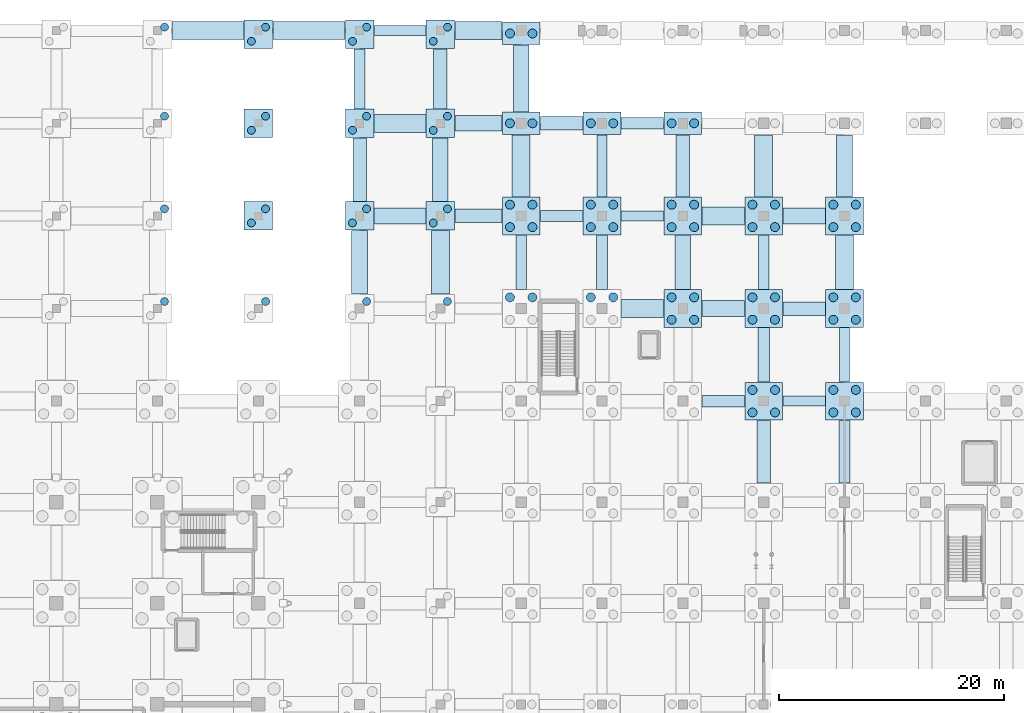
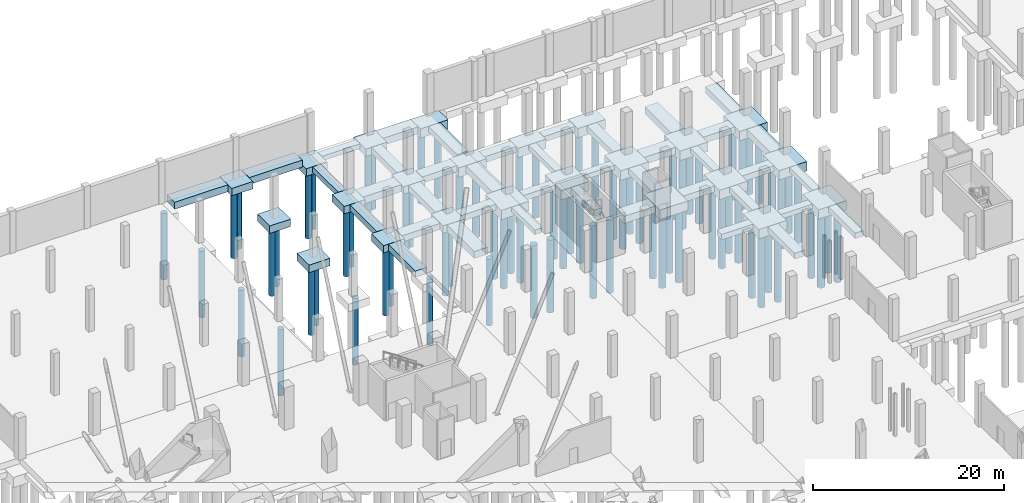
# One storey, part 8 of 42: 77 piles, 63 footings.
"""IFC4 building model written with IfcOpenShell, lengths in metres."""

from ifc_helpers import new_model, si_unit, direction, frame, origin, origin_2d, place, context, subcontext, project, spatial, rectangle, circle, extrude, material, material_profile, profile_set, type_object, element, save


model = new_model("IFC4")

# Units and contexts
model_context = context("Model", 3, precision=1e-05, world=origin(), true_north=direction((0.0, 1.0)))
body_context = subcontext(model_context, "Body", "Model", "MODEL_VIEW")
ifc_project = project(units=[si_unit("LENGTHUNIT", "METRE"), si_unit("AREAUNIT", "SQUARE_METRE"), si_unit("VOLUMEUNIT", "CUBIC_METRE"), si_unit("PLANEANGLEUNIT", "RADIAN"), si_unit("MASSUNIT", "GRAM", prefix="KILO")], contexts=[model_context])

# Site, building, storey
site_placement = place(None, origin())
site = spatial("IfcSite", under=ifc_project, at=site_placement, CompositionType="ELEMENT")
building_placement = place(site_placement, origin())
building = spatial("IfcBuilding", under=site, at=building_placement, Name="Sundgate Opera House", CompositionType="ELEMENT")
storey_placement = place(building_placement, frame((0.0, 0.0, -5.39990234375)))
storey = spatial("IfcBuildingStorey", under=building, at=storey_placement, Name="B01", CompositionType="ELEMENT", Elevation=-5.39990234375)

# Footings
ifc_material_1 = material(Name="Concrete C40/50", Category="concrete")
footing_type_1 = type_object("IfcFootingType", Name="FT-PC-2540x2540x950", PredefinedType="PILE_CAP", material=ifc_material_1)
for number, where, z_axis, x_axis, name in (
    (1, (72.0, 103.5, -0.9501953125), (0.0, 0.0, 1.0), (1.0, 0.0, 0.0), "Pile Cap F0111"),
    (2, (72.0, 111.75, -0.9501953125), (0.0, 0.0, 1.0), (1.0, 0.0, 0.0), "Pile Cap F0112"),
    (3, (72.0, 119.679931640625, -0.9501953125), (0.0, 0.0, 1.0), (1.0, 0.0, 0.0), "Pile Cap F0113"),
    (4, (81.0, 103.5, -1.60009765625), (0.0, 0.0, 1.0), (1.0, 0.0, 0.0), "Pile Cap F0126"),
    (5, (81.0, 111.75, -1.60009765625), (0.0, 0.0, 1.0), (1.0, 0.0, 0.0), "Pile Cap F0127"),
    (6, (81.0, 119.679931640625, -1.60009765625), (0.0, 0.0, 1.0), (1.0, 0.0, 0.0), "Pile Cap F0128"),
    (7, (88.199951171875, 103.5, -1.60009765625), (0.0, 0.0, 1.0), (1.0, 0.0, 0.0), "Pile Cap F0141"),
    (8, (88.199951171875, 111.75, -1.60009765625), (0.0, 0.0, 1.0), (1.0, 0.0, 0.0), "Pile Cap F0142"),
    (9, (88.199951171875, 119.679931640625, -1.60009765625), (0.0, 0.0, 1.0), (1.0, 0.0, 0.0), "Pile Cap F0143"),
):
    element("IfcFooting", number, at=place(storey_placement, frame(where, z_axis=z_axis, x_axis=x_axis)), inside=storey, type_object=footing_type_1, Name=name, PredefinedType="PILE_CAP", context=body_context, shape_type="SweptSolid", body=[
        extrude(rectangle(XDim=2.5400390625, YDim=2.5400390625, at=origin_2d()), origin(), (0.0, 0.0, 1.0), 0.949951171875),
    ])
ifc_material_2 = material(Name="Concrete C40/50", Category="concrete")
footing_type_2 = type_object("IfcFootingType", Name="FT-PC-3360x2000x1200", PredefinedType="PILE_CAP", material=ifc_material_2)
for number, where, z_axis, x_axis, name in (
    (10, (95.39990234375, 111.75, -2.0), (0.0, 0.0, 1.0), (1.0, 0.0, 0.0), "Pile Cap F0157"),
    (11, (95.39990234375, 119.75, -1.85009765625), (0.0, 0.0, 1.0), (1.0, 0.0, 0.0), "Pile Cap F0158"),
    (12, (102.60009765625, 111.75, -2.0), (0.0, 0.0, 1.0), (1.0, 0.0, 0.0), "Pile Cap F0172"),
    (13, (109.800048828125, 111.75, -2.0), (0.0, 0.0, 1.0), (1.0, 0.0, 0.0), "Pile Cap F0187"),
):
    element("IfcFooting", number, at=place(storey_placement, frame(where, z_axis=z_axis, x_axis=x_axis)), inside=storey, type_object=footing_type_2, Name=name, PredefinedType="PILE_CAP", context=body_context, shape_type="SweptSolid", body=[
        extrude(rectangle(XDim=3.360107421875, YDim=2.0, at=origin_2d()), origin(), (0.0, 0.0, 1.0), 1.199951171875),
    ])
ifc_material_3 = material(Name="Concrete C40/50", Category="concrete")
footing_type_3 = type_object("IfcFootingType", Name="FT-PC-3360x3360x1200", PredefinedType="PILE_CAP", material=ifc_material_3)
for number, where, z_axis, x_axis, name in (
    (14, (95.39990234375, 103.5, -2.0), (0.0, 0.0, 1.0), (1.0, 0.0, 0.0), "Pile Cap F0156"),
    (15, (102.60009765625, 103.5, -2.0), (0.0, 0.0, 1.0), (1.0, 0.0, 0.0), "Pile Cap F0171"),
    (16, (109.800048828125, 95.25, -2.0), (0.0, 0.0, 1.0), (1.0, 0.0, 0.0), "Pile Cap F0185"),
    (17, (109.800048828125, 103.5, -2.0), (0.0, 0.0, 1.0), (1.0, 0.0, 0.0), "Pile Cap F0186"),
    (18, (117.0, 87.0, -2.0), (0.0, 0.0, 1.0), (1.0, 0.0, 0.0), "Pile Cap F0199"),
    (19, (117.0, 95.25, -2.0), (0.0, 0.0, 1.0), (1.0, 0.0, 0.0), "Pile Cap F0200"),
    (20, (117.0, 103.5, -2.0), (0.0, 0.0, 1.0), (1.0, 0.0, 0.0), "Pile Cap F0201"),
    (21, (124.199951171875, 87.0, -2.0), (0.0, 0.0, 1.0), (1.0, 0.0, 0.0), "Pile Cap F0213"),
    (22, (124.199951171875, 95.25, -2.0), (0.0, 0.0, 1.0), (1.0, 0.0, 0.0), "Pile Cap F0214"),
    (23, (124.199951171875, 103.5, -2.0), (0.0, 0.0, 1.0), (1.0, 0.0, 0.0), "Pile Cap F0215"),
):
    element("IfcFooting", number, at=place(storey_placement, frame(where, z_axis=z_axis, x_axis=x_axis)), inside=storey, type_object=footing_type_3, Name=name, PredefinedType="PILE_CAP", context=body_context, shape_type="SweptSolid", body=[
        extrude(rectangle(XDim=3.360107421875, YDim=3.360107421875, at=origin_2d()), origin(), (0.0, 0.0, 1.0), 1.199951171875),
    ])
ifc_material_4 = material(Name="Concrete C35/45", Category="concrete")
footing_type_4 = type_object("IfcFootingType", Name="FT-STR-1000x700", PredefinedType="STRIP_FOOTING", material=ifc_material_4)
footing_1_placement = place(storey_placement, frame((81.0, 115.715087890625, -1.35009765625), z_axis=(0.0, 0.0, 1.0), x_axis=(1.0, 0.0, 0.0)))
element("IfcFooting", 24, at=footing_1_placement, inside=storey, type_object=footing_type_4, Name="Strip Footing F0407", PredefinedType="STRIP_FOOTING", context=body_context, shape_type="SweptSolid", body=[
    extrude(rectangle(XDim=1.0, YDim=5.340087890625, at=origin_2d()), origin(), (0.0, 0.0, 1.0), 0.699951171875),
])
for number, where, z_axis, x_axis, name in (
    (25, (102.60009765625, 99.375, -1.5), (0.0, 0.0, 1.0), (1.0, 0.0, 0.0), "Strip Footing F0447"),
    (26, (117.0, 91.125, -1.5), (0.0, 0.0, 1.0), (1.0, 0.0, 0.0), "Strip Footing F0472"),
):
    element("IfcFooting", number, at=place(storey_placement, frame(where, z_axis=z_axis, x_axis=x_axis)), inside=storey, type_object=footing_type_4, Name=name, PredefinedType="STRIP_FOOTING", context=body_context, shape_type="SweptSolid", body=[
        extrude(rectangle(XDim=1.0, YDim=4.840087890625, at=origin_2d()), origin(), (0.0, 0.0, 1.0), 0.699951171875),
    ])
footing_2_placement = place(storey_placement, frame((124.199951171875, 82.5, -1.5), z_axis=(0.0, 0.0, 1.0), x_axis=(1.0, 0.0, 0.0)))
element("IfcFooting", 27, at=footing_2_placement, inside=storey, type_object=footing_type_4, Name="Strip Footing F0482", PredefinedType="STRIP_FOOTING", context=body_context, shape_type="SweptSolid", body=[
    extrude(rectangle(XDim=1.0, YDim=5.590087890625, at=origin_2d()), origin(), (0.0, 0.0, 1.0), 0.699951171875),
])
for number, where, z_axis, x_axis, name in (
    (28, (113.39990234375, 87.0, -1.5), (0.0, 0.0, 1.0), (1.0, 0.0, 0.0), "Strip Footing F0722"),
    (29, (99.0, 103.5, -1.5), (0.0, 0.0, 1.0), (1.0, 0.0, 0.0), "Strip Footing F0752"),
    (30, (106.199951171875, 111.75, -1.5), (0.0, 0.0, 1.0), (1.0, 0.0, 0.0), "Strip Footing F0767"),
):
    element("IfcFooting", number, at=place(storey_placement, frame(where, z_axis=z_axis, x_axis=x_axis)), inside=storey, type_object=footing_type_4, Name=name, PredefinedType="STRIP_FOOTING", context=body_context, shape_type="SweptSolid", body=[
        extrude(rectangle(XDim=3.7900390625, YDim=1.0, at=origin_2d()), origin(), (0.0, 0.0, 1.0), 0.699951171875),
    ])
ifc_material_5 = material(Name="Concrete C35/45", Category="concrete")
footing_type_5 = type_object("IfcFootingType", Name="FT-STR-1200x750", PredefinedType="STRIP_FOOTING", material=ifc_material_5)
footing_3_placement = place(storey_placement, frame((81.0, 107.625, -1.400146484375), z_axis=(0.0, 0.0, 1.0), x_axis=(1.0, 0.0, 0.0)))
element("IfcFooting", 31, at=footing_3_placement, inside=storey, type_object=footing_type_5, Name="Strip Footing F0406", PredefinedType="STRIP_FOOTING", context=body_context, shape_type="SweptSolid", body=[
    extrude(rectangle(XDim=1.199951171875, YDim=5.659912109375, at=origin_2d()), origin(), (0.0, 0.0, 1.0), 0.75),
])
footing_4_placement = place(storey_placement, frame((88.199951171875, 115.715087890625, -1.400146484375), z_axis=(0.0, 0.0, 1.0), x_axis=(1.0, 0.0, 0.0)))
element("IfcFooting", 32, at=footing_4_placement, inside=storey, type_object=footing_type_5, Name="Strip Footing F0421", PredefinedType="STRIP_FOOTING", context=body_context, shape_type="SweptSolid", body=[
    extrude(rectangle(XDim=1.199951171875, YDim=5.340087890625, at=origin_2d()), origin(), (0.0, 0.0, 1.0), 0.75),
])
footing_5_placement = place(storey_placement, frame((109.800048828125, 107.965087890625, -1.550048828125), z_axis=(0.0, 0.0, 1.0), x_axis=(1.0, 0.0, 0.0)))
element("IfcFooting", 33, at=footing_5_placement, inside=storey, type_object=footing_type_5, Name="Strip Footing F0461", PredefinedType="STRIP_FOOTING", context=body_context, shape_type="SweptSolid", body=[
    extrude(rectangle(XDim=1.199951171875, YDim=5.52001953125, at=origin_2d()), origin(), (0.0, 0.0, 1.0), 0.75),
])
footing_6_placement = place(storey_placement, frame((117.0, 82.5, -1.550048828125), z_axis=(0.0, 0.0, 1.0), x_axis=(1.0, 0.0, 0.0)))
element("IfcFooting", 34, at=footing_6_placement, inside=storey, type_object=footing_type_5, Name="Strip Footing F0471", PredefinedType="STRIP_FOOTING", context=body_context, shape_type="SweptSolid", body=[
    extrude(rectangle(XDim=1.199951171875, YDim=5.590087890625, at=origin_2d()), origin(), (0.0, 0.0, 1.0), 0.75),
])
footing_7_placement = place(storey_placement, frame((120.60009765625, 95.25, -1.550048828125), z_axis=(0.0, 0.0, 1.0), x_axis=(1.0, 0.0, 0.0)))
element("IfcFooting", 35, at=footing_7_placement, inside=storey, type_object=footing_type_5, Name="Strip Footing F0741", PredefinedType="STRIP_FOOTING", context=body_context, shape_type="SweptSolid", body=[
    extrude(rectangle(XDim=3.7900390625, YDim=1.199951171875, at=origin_2d()), origin(), (0.0, 0.0, 1.0), 0.75),
])
footing_8_placement = place(storey_placement, frame((91.594970703125, 103.5, -1.400146484375), z_axis=(0.0, 0.0, 1.0), x_axis=(1.0, 0.0, 0.0)))
element("IfcFooting", 36, at=footing_8_placement, inside=storey, type_object=footing_type_5, Name="Strip Footing F0751", PredefinedType="STRIP_FOOTING", context=body_context, shape_type="SweptSolid", body=[
    extrude(rectangle(XDim=4.199951171875, YDim=1.199951171875, at=origin_2d()), origin(), (0.0, 0.0, 1.0), 0.75),
])
footing_9_placement = place(storey_placement, frame((99.0, 111.75, -1.550048828125), z_axis=(0.0, 0.0, 1.0), x_axis=(1.0, 0.0, 0.0)))
element("IfcFooting", 37, at=footing_9_placement, inside=storey, type_object=footing_type_5, Name="Strip Footing F0766", PredefinedType="STRIP_FOOTING", context=body_context, shape_type="SweptSolid", body=[
    extrude(rectangle(XDim=3.7900390625, YDim=1.199951171875, at=origin_2d()), origin(), (0.0, 0.0, 1.0), 0.75),
])
ifc_material_6 = material(Name="Concrete C35/45", Category="concrete")
footing_type_6 = type_object("IfcFootingType", Name="FT-STR-1400x800", PredefinedType="STRIP_FOOTING", material=ifc_material_6)
for number, where, z_axis, x_axis, name in (
    (38, (81.0, 99.375, -1.4501953125), (0.0, 0.0, 1.0), (1.0, 0.0, 0.0), "Strip Footing F0405"),
    (39, (88.199951171875, 107.625, -1.4501953125), (0.0, 0.0, 1.0), (1.0, 0.0, 0.0), "Strip Footing F0420"),
):
    element("IfcFooting", number, at=place(storey_placement, frame(where, z_axis=z_axis, x_axis=x_axis)), inside=storey, type_object=footing_type_6, Name=name, PredefinedType="STRIP_FOOTING", context=body_context, shape_type="SweptSolid", body=[
        extrude(rectangle(XDim=1.39990234375, YDim=5.659912109375, at=origin_2d()), origin(), (0.0, 0.0, 1.0), 0.800048828125),
    ])
footing_10_placement = place(storey_placement, frame((95.39990234375, 115.75, -1.4501953125), z_axis=(0.0, 0.0, 1.0), x_axis=(1.0, 0.0, 0.0)))
element("IfcFooting", 40, at=footing_10_placement, inside=storey, type_object=footing_type_6, Name="Strip Footing F0435", PredefinedType="STRIP_FOOTING", context=body_context, shape_type="SweptSolid", body=[
    extrude(rectangle(XDim=1.39990234375, YDim=5.949951171875, at=origin_2d()), origin(), (0.0, 0.0, 1.0), 0.800048828125),
])
footing_11_placement = place(storey_placement, frame((109.800048828125, 99.375, -1.60009765625), z_axis=(0.0, 0.0, 1.0), x_axis=(1.0, 0.0, 0.0)))
element("IfcFooting", 41, at=footing_11_placement, inside=storey, type_object=footing_type_6, Name="Strip Footing F0460", PredefinedType="STRIP_FOOTING", context=body_context, shape_type="SweptSolid", body=[
    extrude(rectangle(XDim=1.39990234375, YDim=4.840087890625, at=origin_2d()), origin(), (0.0, 0.0, 1.0), 0.800048828125),
])
footing_12_placement = place(storey_placement, frame((124.199951171875, 107.965087890625, -1.60009765625), z_axis=(0.0, 0.0, 1.0), x_axis=(1.0, 0.0, 0.0)))
element("IfcFooting", 42, at=footing_12_placement, inside=storey, type_object=footing_type_6, Name="Strip Footing F0485", PredefinedType="STRIP_FOOTING", context=body_context, shape_type="SweptSolid", body=[
    extrude(rectangle(XDim=1.39990234375, YDim=5.52001953125, at=origin_2d()), origin(), (0.0, 0.0, 1.0), 0.800048828125),
])
footing_13_placement = place(storey_placement, frame((113.39990234375, 95.25, -1.60009765625), z_axis=(0.0, 0.0, 1.0), x_axis=(1.0, 0.0, 0.0)))
element("IfcFooting", 43, at=footing_13_placement, inside=storey, type_object=footing_type_6, Name="Strip Footing F0740", PredefinedType="STRIP_FOOTING", context=body_context, shape_type="SweptSolid", body=[
    extrude(rectangle(XDim=3.7900390625, YDim=1.39990234375, at=origin_2d()), origin(), (0.0, 0.0, 1.0), 0.800048828125),
])
footing_14_placement = place(storey_placement, frame((84.60009765625, 103.5, -1.4501953125), z_axis=(0.0, 0.0, 1.0), x_axis=(1.0, 0.0, 0.0)))
element("IfcFooting", 44, at=footing_14_placement, inside=storey, type_object=footing_type_6, Name="Strip Footing F0750", PredefinedType="STRIP_FOOTING", context=body_context, shape_type="SweptSolid", body=[
    extrude(rectangle(XDim=4.610107421875, YDim=1.39990234375, at=origin_2d()), origin(), (0.0, 0.0, 1.0), 0.800048828125),
])
footing_15_placement = place(storey_placement, frame((120.60009765625, 103.5, -1.60009765625), z_axis=(0.0, 0.0, 1.0), x_axis=(1.0, 0.0, 0.0)))
element("IfcFooting", 45, at=footing_15_placement, inside=storey, type_object=footing_type_6, Name="Strip Footing F0755", PredefinedType="STRIP_FOOTING", context=body_context, shape_type="SweptSolid", body=[
    extrude(rectangle(XDim=3.7900390625, YDim=1.39990234375, at=origin_2d()), origin(), (0.0, 0.0, 1.0), 0.800048828125),
])
footing_16_placement = place(storey_placement, frame((91.594970703125, 111.75, -1.4501953125), z_axis=(0.0, 0.0, 1.0), x_axis=(1.0, 0.0, 0.0)))
element("IfcFooting", 46, at=footing_16_placement, inside=storey, type_object=footing_type_6, Name="Strip Footing F0765", PredefinedType="STRIP_FOOTING", context=body_context, shape_type="SweptSolid", body=[
    extrude(rectangle(XDim=4.199951171875, YDim=1.39990234375, at=origin_2d()), origin(), (0.0, 0.0, 1.0), 0.800048828125),
])
ifc_material_7 = material(Name="Concrete C35/45", Category="concrete")
footing_type_7 = type_object("IfcFootingType", Name="FT-STR-1600x900", PredefinedType="STRIP_FOOTING", material=ifc_material_7)
footing_17_placement = place(storey_placement, frame((88.199951171875, 99.375, -1.550048828125), z_axis=(0.0, 0.0, 1.0), x_axis=(1.0, 0.0, 0.0)))
element("IfcFooting", 47, at=footing_17_placement, inside=storey, type_object=footing_type_7, Name="Strip Footing F0419", PredefinedType="STRIP_FOOTING", context=body_context, shape_type="SweptSolid", body=[
    extrude(rectangle(XDim=1.60009765625, YDim=5.659912109375, at=origin_2d()), origin(), (0.0, 0.0, 1.0), 0.89990234375),
])
for number, where, z_axis, x_axis, name in (
    (48, (95.39990234375, 107.965087890625, -1.699951171875), (0.0, 0.0, 1.0), (1.0, 0.0, 0.0), "Strip Footing F0434"),
    (49, (117.0, 107.965087890625, -1.699951171875), (0.0, 0.0, 1.0), (1.0, 0.0, 0.0), "Strip Footing F0474"),
):
    element("IfcFooting", number, at=place(storey_placement, frame(where, z_axis=z_axis, x_axis=x_axis)), inside=storey, type_object=footing_type_7, Name=name, PredefinedType="STRIP_FOOTING", context=body_context, shape_type="SweptSolid", body=[
        extrude(rectangle(XDim=1.60009765625, YDim=5.52001953125, at=origin_2d()), origin(), (0.0, 0.0, 1.0), 0.89990234375),
    ])
footing_18_placement = place(storey_placement, frame((124.199951171875, 99.375, -1.699951171875), z_axis=(0.0, 0.0, 1.0), x_axis=(1.0, 0.0, 0.0)))
element("IfcFooting", 50, at=footing_18_placement, inside=storey, type_object=footing_type_7, Name="Strip Footing F0484", PredefinedType="STRIP_FOOTING", context=body_context, shape_type="SweptSolid", body=[
    extrude(rectangle(XDim=1.60009765625, YDim=4.840087890625, at=origin_2d()), origin(), (0.0, 0.0, 1.0), 0.89990234375),
])
for number, where, z_axis, x_axis, name in (
    (51, (106.199951171875, 95.25, -1.699951171875), (0.0, 0.0, 1.0), (1.0, 0.0, 0.0), "Strip Footing F0739"),
    (52, (113.39990234375, 103.5, -1.699951171875), (0.0, 0.0, 1.0), (1.0, 0.0, 0.0), "Strip Footing F0754"),
):
    element("IfcFooting", number, at=place(storey_placement, frame(where, z_axis=z_axis, x_axis=x_axis)), inside=storey, type_object=footing_type_7, Name=name, PredefinedType="STRIP_FOOTING", context=body_context, shape_type="SweptSolid", body=[
        extrude(rectangle(XDim=3.7900390625, YDim=1.60009765625, at=origin_2d()), origin(), (0.0, 0.0, 1.0), 0.89990234375),
    ])
footing_19_placement = place(storey_placement, frame((84.60009765625, 111.75, -1.550048828125), z_axis=(0.0, 0.0, 1.0), x_axis=(1.0, 0.0, 0.0)))
element("IfcFooting", 53, at=footing_19_placement, inside=storey, type_object=footing_type_7, Name="Strip Footing F0764", PredefinedType="STRIP_FOOTING", context=body_context, shape_type="SweptSolid", body=[
    extrude(rectangle(XDim=4.610107421875, YDim=1.60009765625, at=origin_2d()), origin(), (0.0, 0.0, 1.0), 0.89990234375),
])
footing_20_placement = place(storey_placement, frame((91.594970703125, 120.0, -1.550048828125), z_axis=(0.0, 0.0, 1.0), x_axis=(1.0, 0.0, 0.0)))
element("IfcFooting", 54, at=footing_20_placement, inside=storey, type_object=footing_type_7, Name="Strip Footing F0779", PredefinedType="STRIP_FOOTING", context=body_context, shape_type="SweptSolid", body=[
    extrude(rectangle(XDim=4.199951171875, YDim=1.60009765625, at=origin_2d()), origin(), (0.0, 0.0, 1.0), 0.89990234375),
])
for number, where, z_axis, x_axis, name in (
    (55, (67.5, 120.0, -0.900146484375), (0.0, 0.0, 1.0), (1.0, 0.0, 0.0), "Retaining Wall Strip Footing F0780"),
    (56, (76.5, 120.0, -0.900146484375), (0.0, 0.0, 1.0), (1.0, 0.0, 0.0), "Retaining Wall Strip Footing F0781"),
):
    element("IfcFooting", number, at=place(storey_placement, frame(where, z_axis=z_axis, x_axis=x_axis)), inside=storey, type_object=footing_type_7, Name=name, PredefinedType="STRIP_FOOTING", context=body_context, shape_type="SweptSolid", body=[
        extrude(rectangle(XDim=6.409912109375, YDim=1.60009765625, at=origin_2d()), origin(), (0.0, 0.0, 1.0), 0.89990234375),
    ])
ifc_material_8 = material(Name="Concrete C35/45", Category="concrete")
footing_type_8 = type_object("IfcFootingType", Name="FT-STR-900x600", PredefinedType="STRIP_FOOTING", material=ifc_material_8)
footing_21_placement = place(storey_placement, frame((95.39990234375, 99.375, -1.400146484375), z_axis=(0.0, 0.0, 1.0), x_axis=(1.0, 0.0, 0.0)))
element("IfcFooting", 57, at=footing_21_placement, inside=storey, type_object=footing_type_8, Name="Strip Footing F0433", PredefinedType="STRIP_FOOTING", context=body_context, shape_type="SweptSolid", body=[
    extrude(rectangle(XDim=0.89990234375, YDim=4.840087890625, at=origin_2d()), origin(), (0.0, 0.0, 1.0), 0.60009765625),
])
footing_22_placement = place(storey_placement, frame((102.60009765625, 107.965087890625, -1.400146484375), z_axis=(0.0, 0.0, 1.0), x_axis=(1.0, 0.0, 0.0)))
element("IfcFooting", 58, at=footing_22_placement, inside=storey, type_object=footing_type_8, Name="Strip Footing F0448", PredefinedType="STRIP_FOOTING", context=body_context, shape_type="SweptSolid", body=[
    extrude(rectangle(XDim=0.89990234375, YDim=5.52001953125, at=origin_2d()), origin(), (0.0, 0.0, 1.0), 0.60009765625),
])
for number, where, z_axis, x_axis, name in (
    (59, (117.0, 99.375, -1.400146484375), (0.0, 0.0, 1.0), (1.0, 0.0, 0.0), "Strip Footing F0473"),
    (60, (124.199951171875, 91.125, -1.400146484375), (0.0, 0.0, 1.0), (1.0, 0.0, 0.0), "Strip Footing F0483"),
):
    element("IfcFooting", number, at=place(storey_placement, frame(where, z_axis=z_axis, x_axis=x_axis)), inside=storey, type_object=footing_type_8, Name=name, PredefinedType="STRIP_FOOTING", context=body_context, shape_type="SweptSolid", body=[
        extrude(rectangle(XDim=0.89990234375, YDim=4.840087890625, at=origin_2d()), origin(), (0.0, 0.0, 1.0), 0.60009765625),
    ])
for number, where, z_axis, x_axis, name in (
    (61, (120.60009765625, 87.0, -1.400146484375), (0.0, 0.0, 1.0), (1.0, 0.0, 0.0), "Strip Footing F0723"),
    (62, (106.199951171875, 103.5, -1.400146484375), (0.0, 0.0, 1.0), (1.0, 0.0, 0.0), "Strip Footing F0753"),
):
    element("IfcFooting", number, at=place(storey_placement, frame(where, z_axis=z_axis, x_axis=x_axis)), inside=storey, type_object=footing_type_8, Name=name, PredefinedType="STRIP_FOOTING", context=body_context, shape_type="SweptSolid", body=[
        extrude(rectangle(XDim=3.7900390625, YDim=0.89990234375, at=origin_2d()), origin(), (0.0, 0.0, 1.0), 0.60009765625),
    ])
footing_23_placement = place(storey_placement, frame((84.60009765625, 120.0, -1.250244140625), z_axis=(0.0, 0.0, 1.0), x_axis=(1.0, 0.0, 0.0)))
element("IfcFooting", 63, at=footing_23_placement, inside=storey, type_object=footing_type_8, Name="Strip Footing F0778", PredefinedType="STRIP_FOOTING", context=body_context, shape_type="SweptSolid", body=[
    extrude(rectangle(XDim=4.610107421875, YDim=0.89990234375, at=origin_2d()), origin(), (0.0, 0.0, 1.0), 0.60009765625),
])

# Piles
ifc_material_9 = material(Name="Concrete C40/50", Category="concrete")
ifc_material_profile_1 = material_profile(ifc_material_9, circle(Radius=0.35009765625, at=origin_2d()), Name="PILE D700")
ifc_profile_set_1 = profile_set([ifc_material_profile_1], Name="Concrete C40/50")
pile_type_1 = type_object("IfcPileType", Name="PL-700", PredefinedType="BORED", material=ifc_profile_set_1)
for number, where, z_axis, x_axis, name in (
    (64, (63.6298828125, 95.8798828125, -1.650146484375), (0.0, 0.0, -1.0), (1.0, 0.0, 0.0), "Rock-Socketed Pile P0268"),
    (65, (63.6298828125, 104.1298828125, -1.650146484375), (0.0, 0.0, -1.0), (1.0, 0.0, 0.0), "Rock-Socketed Pile P0270"),
    (66, (63.6298828125, 112.3798828125, -1.650146484375), (0.0, 0.0, -1.0), (1.0, 0.0, 0.0), "Rock-Socketed Pile P0272"),
    (67, (63.6298828125, 120.31005859375, -1.650146484375), (0.0, 0.0, -1.0), (1.0, 0.0, 0.0), "Rock-Socketed Pile P0274"),
    (68, (72.6298828125, 95.8798828125, -0.85009765625), (0.0, 0.0, -1.0), (1.0, 0.0, 0.0), "Rock-Socketed Pile P0304"),
    (69, (71.3701171875, 102.8701171875, -0.85009765625), (0.0, 0.0, -1.0), (1.0, 0.0, 0.0), "Rock-Socketed Pile P0305"),
    (70, (72.6298828125, 104.1298828125, -0.85009765625), (0.0, 0.0, -1.0), (1.0, 0.0, 0.0), "Rock-Socketed Pile P0306"),
    (71, (71.3701171875, 111.1201171875, -0.85009765625), (0.0, 0.0, -1.0), (1.0, 0.0, 0.0), "Rock-Socketed Pile P0307"),
    (72, (72.6298828125, 112.3798828125, -0.85009765625), (0.0, 0.0, -1.0), (1.0, 0.0, 0.0), "Rock-Socketed Pile P0308"),
    (73, (71.3701171875, 119.050048828125, -0.85009765625), (0.0, 0.0, -1.0), (1.0, 0.0, 0.0), "Rock-Socketed Pile P0309"),
    (74, (72.6298828125, 120.31005859375, -0.85009765625), (0.0, 0.0, -1.0), (1.0, 0.0, 0.0), "Rock-Socketed Pile P0310"),
    (75, (81.6298828125, 95.8798828125, -1.5), (0.0, 0.0, -1.0), (1.0, 0.0, 0.0), "Rock-Socketed Pile P0348"),
    (76, (80.3701171875, 102.8701171875, -1.5), (0.0, 0.0, -1.0), (1.0, 0.0, 0.0), "Rock-Socketed Pile P0349"),
    (77, (81.6298828125, 104.1298828125, -1.5), (0.0, 0.0, -1.0), (1.0, 0.0, 0.0), "Rock-Socketed Pile P0350"),
    (78, (80.3701171875, 111.1201171875, -1.5), (0.0, 0.0, -1.0), (1.0, 0.0, 0.0), "Rock-Socketed Pile P0351"),
    (79, (81.6298828125, 112.3798828125, -1.5), (0.0, 0.0, -1.0), (1.0, 0.0, 0.0), "Rock-Socketed Pile P0352"),
    (80, (80.3701171875, 119.050048828125, -1.5), (0.0, 0.0, -1.0), (1.0, 0.0, 0.0), "Rock-Socketed Pile P0353"),
    (81, (81.6298828125, 120.31005859375, -1.5), (0.0, 0.0, -1.0), (1.0, 0.0, 0.0), "Rock-Socketed Pile P0354"),
    (82, (88.830078125, 95.8798828125, -1.5), (0.0, 0.0, -1.0), (1.0, 0.0, 0.0), "Rock-Socketed Pile P0378"),
    (83, (87.570068359375, 102.8701171875, -1.5), (0.0, 0.0, -1.0), (1.0, 0.0, 0.0), "Rock-Socketed Pile P0379"),
    (84, (88.830078125, 104.1298828125, -1.5), (0.0, 0.0, -1.0), (1.0, 0.0, 0.0), "Rock-Socketed Pile P0380"),
    (85, (87.570068359375, 111.1201171875, -1.5), (0.0, 0.0, -1.0), (1.0, 0.0, 0.0), "Rock-Socketed Pile P0381"),
    (86, (88.830078125, 112.3798828125, -1.5), (0.0, 0.0, -1.0), (1.0, 0.0, 0.0), "Rock-Socketed Pile P0382"),
    (87, (87.570068359375, 119.050048828125, -1.5), (0.0, 0.0, -1.0), (1.0, 0.0, 0.0), "Rock-Socketed Pile P0383"),
    (88, (88.830078125, 120.31005859375, -1.5), (0.0, 0.0, -1.0), (1.0, 0.0, 0.0), "Rock-Socketed Pile P0384"),
):
    element("IfcPile", number, at=place(storey_placement, frame(where, z_axis=z_axis, x_axis=x_axis)), inside=storey, type_object=pile_type_1, Name=name, PredefinedType="BORED", context=body_context, shape_type="SweptSolid", body=[
        extrude(circle(Radius=0.35009765625, at=origin_2d()), origin(), (0.0, 0.0, 1.0), 8.5),
    ])
ifc_material_10 = material(Name="Concrete C40/50", Category="concrete")
ifc_material_profile_2 = material_profile(ifc_material_10, circle(Radius=0.39990234375, at=origin_2d()), Name="PILE D800")
ifc_profile_set_2 = profile_set([ifc_material_profile_2], Name="Concrete C40/50")
pile_type_2 = type_object("IfcPileType", Name="PL-800", PredefinedType="BORED", material=ifc_profile_set_2)
for number, where, z_axis, x_axis, name in (
    (89, (94.39990234375, 96.25, -1.900146484375), (0.0, 0.0, -1.0), (1.0, 0.0, 0.0), "Rock-Socketed Pile P0422"),
    (90, (96.39990234375, 96.25, -1.900146484375), (0.0, 0.0, -1.0), (1.0, 0.0, 0.0), "Rock-Socketed Pile P0424"),
    (91, (94.39990234375, 102.5, -1.900146484375), (0.0, 0.0, -1.0), (1.0, 0.0, 0.0), "Rock-Socketed Pile P0425"),
    (92, (94.39990234375, 104.5, -1.900146484375), (0.0, 0.0, -1.0), (1.0, 0.0, 0.0), "Rock-Socketed Pile P0426"),
    (93, (96.39990234375, 102.5, -1.900146484375), (0.0, 0.0, -1.0), (1.0, 0.0, 0.0), "Rock-Socketed Pile P0427"),
    (94, (96.39990234375, 104.5, -1.900146484375), (0.0, 0.0, -1.0), (1.0, 0.0, 0.0), "Rock-Socketed Pile P0428"),
):
    element("IfcPile", number, at=place(storey_placement, frame(where, z_axis=z_axis, x_axis=x_axis)), inside=storey, type_object=pile_type_2, Name=name, PredefinedType="BORED", context=body_context, shape_type="SweptSolid", body=[
        extrude(circle(Radius=0.39990234375, at=origin_2d()), origin(), (0.0, 0.0, 1.0), 9.300048828125),
    ])
for number, where, z_axis, x_axis, name in (
    (95, (94.39990234375, 111.75, -1.900146484375), (0.0, 0.0, -1.0), (1.0, 0.0, 0.0), "Rock-Socketed Pile P0429"),
    (96, (96.39990234375, 111.75, -1.900146484375), (0.0, 0.0, -1.0), (1.0, 0.0, 0.0), "Rock-Socketed Pile P0430"),
    (97, (94.39990234375, 119.75, -1.75), (0.0, 0.0, -1.0), (1.0, 0.0, 0.0), "Rock-Socketed Pile P0431"),
    (98, (96.39990234375, 119.75, -1.75), (0.0, 0.0, -1.0), (1.0, 0.0, 0.0), "Rock-Socketed Pile P0432"),
):
    element("IfcPile", number, at=place(storey_placement, frame(where, z_axis=z_axis, x_axis=x_axis)), inside=storey, type_object=pile_type_2, Name=name, PredefinedType="BORED", context=body_context, shape_type="SweptSolid", body=[
        extrude(circle(Radius=0.39990234375, at=origin_2d()), origin(), (0.0, 0.0, 1.0), 9.10009765625),
    ])
for number, where, z_axis, x_axis, name in (
    (99, (101.60009765625, 96.25, -1.900146484375), (0.0, 0.0, -1.0), (1.0, 0.0, 0.0), "Rock-Socketed Pile P0470"),
    (100, (103.60009765625, 96.25, -1.900146484375), (0.0, 0.0, -1.0), (1.0, 0.0, 0.0), "Rock-Socketed Pile P0472"),
    (101, (101.60009765625, 102.5, -1.900146484375), (0.0, 0.0, -1.0), (1.0, 0.0, 0.0), "Rock-Socketed Pile P0473"),
    (102, (101.60009765625, 104.5, -1.900146484375), (0.0, 0.0, -1.0), (1.0, 0.0, 0.0), "Rock-Socketed Pile P0474"),
    (103, (103.60009765625, 102.5, -1.900146484375), (0.0, 0.0, -1.0), (1.0, 0.0, 0.0), "Rock-Socketed Pile P0475"),
    (104, (103.60009765625, 104.5, -1.900146484375), (0.0, 0.0, -1.0), (1.0, 0.0, 0.0), "Rock-Socketed Pile P0476"),
):
    element("IfcPile", number, at=place(storey_placement, frame(where, z_axis=z_axis, x_axis=x_axis)), inside=storey, type_object=pile_type_2, Name=name, PredefinedType="BORED", context=body_context, shape_type="SweptSolid", body=[
        extrude(circle(Radius=0.39990234375, at=origin_2d()), origin(), (0.0, 0.0, 1.0), 9.300048828125),
    ])
for number, where, z_axis, x_axis, name in (
    (105, (101.60009765625, 111.75, -1.900146484375), (0.0, 0.0, -1.0), (1.0, 0.0, 0.0), "Rock-Socketed Pile P0477"),
    (106, (103.60009765625, 111.75, -1.900146484375), (0.0, 0.0, -1.0), (1.0, 0.0, 0.0), "Rock-Socketed Pile P0478"),
):
    element("IfcPile", number, at=place(storey_placement, frame(where, z_axis=z_axis, x_axis=x_axis)), inside=storey, type_object=pile_type_2, Name=name, PredefinedType="BORED", context=body_context, shape_type="SweptSolid", body=[
        extrude(circle(Radius=0.39990234375, at=origin_2d()), origin(), (0.0, 0.0, 1.0), 9.10009765625),
    ])
for number, where, z_axis, x_axis, name in (
    (107, (108.800048828125, 94.25, -1.900146484375), (0.0, 0.0, -1.0), (1.0, 0.0, 0.0), "Rock-Socketed Pile P0517"),
    (108, (108.800048828125, 96.25, -1.900146484375), (0.0, 0.0, -1.0), (1.0, 0.0, 0.0), "Rock-Socketed Pile P0518"),
    (109, (110.800048828125, 94.25, -1.900146484375), (0.0, 0.0, -1.0), (1.0, 0.0, 0.0), "Rock-Socketed Pile P0519"),
    (110, (110.800048828125, 96.25, -1.900146484375), (0.0, 0.0, -1.0), (1.0, 0.0, 0.0), "Rock-Socketed Pile P0520"),
    (111, (108.800048828125, 102.5, -1.900146484375), (0.0, 0.0, -1.0), (1.0, 0.0, 0.0), "Rock-Socketed Pile P0521"),
    (112, (108.800048828125, 104.5, -1.900146484375), (0.0, 0.0, -1.0), (1.0, 0.0, 0.0), "Rock-Socketed Pile P0522"),
    (113, (110.800048828125, 102.5, -1.900146484375), (0.0, 0.0, -1.0), (1.0, 0.0, 0.0), "Rock-Socketed Pile P0523"),
    (114, (110.800048828125, 104.5, -1.900146484375), (0.0, 0.0, -1.0), (1.0, 0.0, 0.0), "Rock-Socketed Pile P0524"),
):
    element("IfcPile", number, at=place(storey_placement, frame(where, z_axis=z_axis, x_axis=x_axis)), inside=storey, type_object=pile_type_2, Name=name, PredefinedType="BORED", context=body_context, shape_type="SweptSolid", body=[
        extrude(circle(Radius=0.39990234375, at=origin_2d()), origin(), (0.0, 0.0, 1.0), 9.300048828125),
    ])
for number, where, z_axis, x_axis, name in (
    (115, (108.800048828125, 111.75, -1.900146484375), (0.0, 0.0, -1.0), (1.0, 0.0, 0.0), "Rock-Socketed Pile P0525"),
    (116, (110.800048828125, 111.75, -1.900146484375), (0.0, 0.0, -1.0), (1.0, 0.0, 0.0), "Rock-Socketed Pile P0526"),
):
    element("IfcPile", number, at=place(storey_placement, frame(where, z_axis=z_axis, x_axis=x_axis)), inside=storey, type_object=pile_type_2, Name=name, PredefinedType="BORED", context=body_context, shape_type="SweptSolid", body=[
        extrude(circle(Radius=0.39990234375, at=origin_2d()), origin(), (0.0, 0.0, 1.0), 9.10009765625),
    ])
for number, where, z_axis, x_axis, name in (
    (117, (116.0, 86.0, -1.900146484375), (0.0, 0.0, -1.0), (1.0, 0.0, 0.0), "Rock-Socketed Pile P0561"),
    (118, (116.0, 88.0, -1.900146484375), (0.0, 0.0, -1.0), (1.0, 0.0, 0.0), "Rock-Socketed Pile P0562"),
    (119, (118.0, 86.0, -1.900146484375), (0.0, 0.0, -1.0), (1.0, 0.0, 0.0), "Rock-Socketed Pile P0563"),
    (120, (118.0, 88.0, -1.900146484375), (0.0, 0.0, -1.0), (1.0, 0.0, 0.0), "Rock-Socketed Pile P0564"),
    (121, (116.0, 94.25, -1.900146484375), (0.0, 0.0, -1.0), (1.0, 0.0, 0.0), "Rock-Socketed Pile P0565"),
    (122, (116.0, 96.25, -1.900146484375), (0.0, 0.0, -1.0), (1.0, 0.0, 0.0), "Rock-Socketed Pile P0566"),
    (123, (118.0, 94.25, -1.900146484375), (0.0, 0.0, -1.0), (1.0, 0.0, 0.0), "Rock-Socketed Pile P0567"),
    (124, (118.0, 96.25, -1.900146484375), (0.0, 0.0, -1.0), (1.0, 0.0, 0.0), "Rock-Socketed Pile P0568"),
    (125, (116.0, 102.5, -1.900146484375), (0.0, 0.0, -1.0), (1.0, 0.0, 0.0), "Rock-Socketed Pile P0569"),
    (126, (116.0, 104.5, -1.900146484375), (0.0, 0.0, -1.0), (1.0, 0.0, 0.0), "Rock-Socketed Pile P0570"),
    (127, (118.0, 102.5, -1.900146484375), (0.0, 0.0, -1.0), (1.0, 0.0, 0.0), "Rock-Socketed Pile P0571"),
    (128, (118.0, 104.5, -1.900146484375), (0.0, 0.0, -1.0), (1.0, 0.0, 0.0), "Rock-Socketed Pile P0572"),
    (129, (123.199951171875, 86.0, -1.900146484375), (0.0, 0.0, -1.0), (1.0, 0.0, 0.0), "Rock-Socketed Pile P0607"),
    (130, (123.199951171875, 88.0, -1.900146484375), (0.0, 0.0, -1.0), (1.0, 0.0, 0.0), "Rock-Socketed Pile P0608"),
    (131, (125.199951171875, 86.0, -1.900146484375), (0.0, 0.0, -1.0), (1.0, 0.0, 0.0), "Rock-Socketed Pile P0609"),
    (132, (125.199951171875, 88.0, -1.900146484375), (0.0, 0.0, -1.0), (1.0, 0.0, 0.0), "Rock-Socketed Pile P0610"),
    (133, (123.199951171875, 94.25, -1.900146484375), (0.0, 0.0, -1.0), (1.0, 0.0, 0.0), "Rock-Socketed Pile P0611"),
    (134, (123.199951171875, 96.25, -1.900146484375), (0.0, 0.0, -1.0), (1.0, 0.0, 0.0), "Rock-Socketed Pile P0612"),
    (135, (125.199951171875, 94.25, -1.900146484375), (0.0, 0.0, -1.0), (1.0, 0.0, 0.0), "Rock-Socketed Pile P0613"),
    (136, (125.199951171875, 96.25, -1.900146484375), (0.0, 0.0, -1.0), (1.0, 0.0, 0.0), "Rock-Socketed Pile P0614"),
    (137, (123.199951171875, 102.5, -1.900146484375), (0.0, 0.0, -1.0), (1.0, 0.0, 0.0), "Rock-Socketed Pile P0615"),
    (138, (123.199951171875, 104.5, -1.900146484375), (0.0, 0.0, -1.0), (1.0, 0.0, 0.0), "Rock-Socketed Pile P0616"),
    (139, (125.199951171875, 102.5, -1.900146484375), (0.0, 0.0, -1.0), (1.0, 0.0, 0.0), "Rock-Socketed Pile P0617"),
    (140, (125.199951171875, 104.5, -1.900146484375), (0.0, 0.0, -1.0), (1.0, 0.0, 0.0), "Rock-Socketed Pile P0618"),
):
    element("IfcPile", number, at=place(storey_placement, frame(where, z_axis=z_axis, x_axis=x_axis)), inside=storey, type_object=pile_type_2, Name=name, PredefinedType="BORED", context=body_context, shape_type="SweptSolid", body=[
        extrude(circle(Radius=0.39990234375, at=origin_2d()), origin(), (0.0, 0.0, 1.0), 9.300048828125),
    ])

save(model, "model.ifc")
